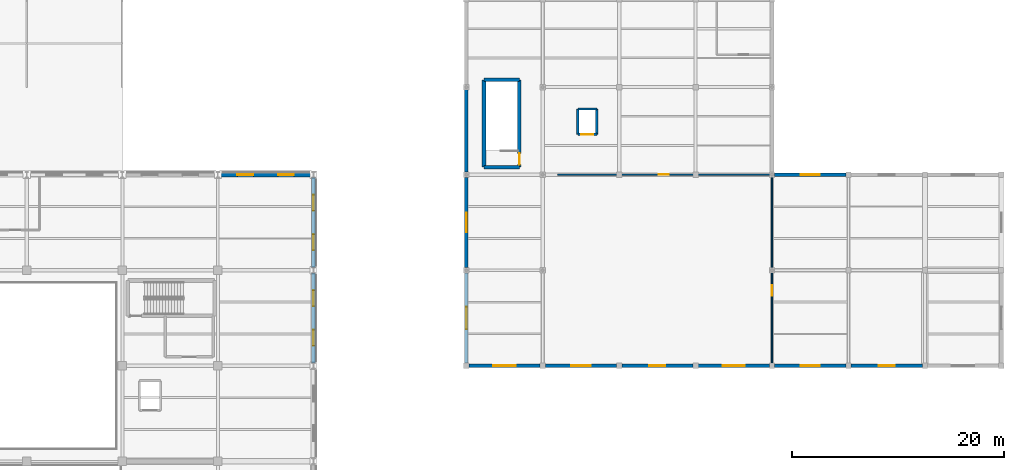
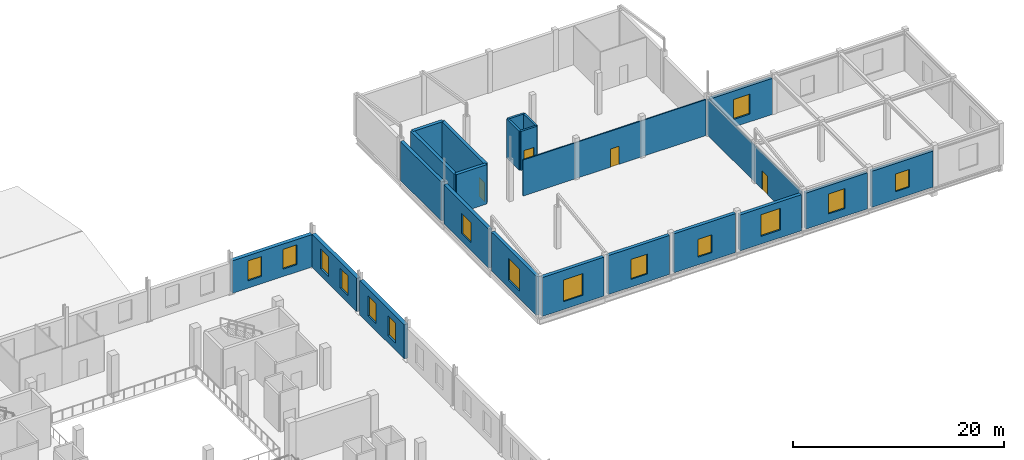
# One storey, part 21 of 35: 23 walls, 15 windows, 4 doors, 19 openings.
"""IFC4 building model written with IfcOpenShell, lengths in metres."""

import ifcopenshell
import ifcopenshell.guid

model = None  # the IFC model being written
_history = None  # IfcOwnerHistory: only IFC2X3 demands one
_inside = {}  # id of a spatial element -> (the spatial element, [elements in it])
_under = {}  # id of a project, library or spatial element -> (it, [spatial elements below it])
_declared = {}  # id of a project -> (the project, [libraries it declares])
_typed = {}  # id of a type object -> (the type object, [elements of that type])
_made_of = {}  # id of a material, layer set ... -> (it, [elements and type objects made of it])


def new_model(schema):
    """Start an empty IFC model of exactly this schema.

    Asked for "IFC4X3", IfcOpenShell would pick the latest addendum, in which some entities
    have other attributes; the version numbers below select the first issue.
    IFC2X3 requires an IfcOwnerHistory on every rooted entity: one is made here for all.
    """
    global model, _history
    if schema == "IFC4X3":
        model = ifcopenshell.file(schema_version=(4, 3, 0, 0))
    else:
        model = ifcopenshell.file(schema=schema)
    _inside.clear()
    _under.clear()
    _declared.clear()
    _typed.clear()
    _made_of.clear()
    _history = None
    if model.schema == "IFC2X3":
        org = make("IfcOrganization", Name="unknown")
        user = make(
            "IfcPersonAndOrganization",
            ThePerson=make("IfcPerson", FamilyName="unknown"),
            TheOrganization=org,
        )
        app = make(
            "IfcApplication",
            ApplicationDeveloper=org,
            Version="unknown",
            ApplicationFullName="unknown",
            ApplicationIdentifier="unknown",
        )
        _history = make(
            "IfcOwnerHistory",
            OwningUser=user,
            OwningApplication=app,
            ChangeAction="ADDED",
            CreationDate=0,
        )
    return model


def make(cls, **values):
    """One entity of the class cls with the attributes given. An attribute that is None is left unset."""
    return model.create_entity(
        cls, **{name: value for name, value in values.items() if value is not None}
    )


def rooted(cls, **values):
    """An entity with a GlobalId (a new one), such as an element, a storey or a relation."""
    return make(cls, GlobalId=ifcopenshell.guid.new(), OwnerHistory=_history, **values)


def si_unit(unit_type, name, prefix=None):
    """IfcSIUnit, for example si_unit("LENGTHUNIT", "METRE", prefix="MILLI")."""
    return make("IfcSIUnit", UnitType=unit_type, Prefix=prefix, Name=name)


def assignment(units):
    """IfcUnitAssignment: the units of a project."""
    return None if units is None else make("IfcUnitAssignment", Units=units)


def point(xyz):
    """IfcCartesianPoint."""
    return None if xyz is None else make("IfcCartesianPoint", Coordinates=xyz)


def direction(xyz):
    """IfcDirection."""
    return None if xyz is None else make("IfcDirection", DirectionRatios=xyz)


def frame(location, z_axis=None, x_axis=None):
    """IfcAxis2Placement3D, a coordinate frame: its origin and axes. An axis left out is left unset."""
    return make(
        "IfcAxis2Placement3D",
        Location=point(location),
        Axis=direction(z_axis),
        RefDirection=direction(x_axis),
    )


def frame_2d(location, x_axis=None):
    """IfcAxis2Placement2D, a coordinate frame in the plane: its origin and x axis."""
    return make(
        "IfcAxis2Placement2D", Location=point(location), RefDirection=direction(x_axis)
    )


def origin():
    """The frame at (0, 0, 0) with its axes left unset."""
    return frame((0.0, 0.0, 0.0))


def place(relative_to, where):
    """IfcLocalPlacement: puts the frame where relative to a parent placement (None: the world)."""
    return make(
        "IfcLocalPlacement", PlacementRelTo=relative_to, RelativePlacement=where
    )


def context(
    kind, dimensions, precision=None, world=None, true_north=None, identifier=None
):
    """IfcGeometricRepresentationContext, for example the 3D "Model" context."""
    return make(
        "IfcGeometricRepresentationContext",
        ContextIdentifier=identifier,
        ContextType=kind,
        CoordinateSpaceDimension=dimensions,
        Precision=precision,
        WorldCoordinateSystem=world,
        TrueNorth=true_north,
    )


def subcontext(parent, identifier, kind, view, scale=None):
    """IfcGeometricRepresentationSubContext, for example "Body" below "Model"."""
    return make(
        "IfcGeometricRepresentationSubContext",
        ContextIdentifier=identifier,
        ContextType=kind,
        ParentContext=parent,
        TargetScale=scale,
        TargetView=view,
    )


def project(units=None, contexts=None):
    """IfcProject with its units and contexts."""
    return rooted(
        "IfcProject",
        Name="project",
        RepresentationContexts=contexts,
        UnitsInContext=assignment(units),
    )


def spatial(cls, under=None, at=None, **own):
    """A site, building, storey or space (cls), placed at a placement, below another one or the project."""
    s = rooted(cls, ObjectPlacement=at, **own)
    if under is not None:
        _under.setdefault(under.id(), (under, []))[1].append(s)
    return s


def profile(cls, at=None, kind="AREA", **sizes):
    """A parametric profile (cls). Its sizes go by their IFC names, for example OverallWidth=200.0."""
    return make(cls, ProfileType=kind, Position=at, **sizes)


def rectangle(**sizes):
    """IfcRectangleProfileDef."""
    return profile("IfcRectangleProfileDef", **sizes)


def extrude(swept, where, along, depth):
    """IfcExtrudedAreaSolid: the profile swept, set in the frame where, extruded along a direction by depth."""
    return make(
        "IfcExtrudedAreaSolid",
        SweptArea=swept,
        Position=where,
        ExtrudedDirection=direction(along),
        Depth=depth,
    )


def shape(context_of_items, identifier, shape_type, items):
    """IfcShapeRepresentation: the items that make up one representation, for example the "Body"."""
    return make(
        "IfcShapeRepresentation",
        ContextOfItems=context_of_items,
        RepresentationIdentifier=identifier,
        RepresentationType=shape_type,
        Items=items,
    )


def material(Name=None, Category=None):
    """IfcMaterial."""
    return make("IfcMaterial", Name=Name, Category=Category)


def layer(
    of_material, thickness, ventilated=None, Name=None, Category=None, Priority=None
):
    """IfcMaterialLayer: one layer of a wall or slab, of a material (None: an air gap)."""
    return make(
        "IfcMaterialLayer",
        Material=of_material,
        LayerThickness=thickness,
        IsVentilated=ventilated,
        Name=Name,
        Category=Category,
        Priority=Priority,
    )


def layer_set(layers, Name=None):
    """IfcMaterialLayerSet."""
    return make("IfcMaterialLayerSet", MaterialLayers=layers, LayerSetName=Name)


def made_of(thing, what):
    """Note that an element or type object is made of a material, layer set ...; save() writes the relation."""
    if what is not None:
        _made_of.setdefault(what.id(), (what, []))[1].append(thing)
    return thing


def type_object(cls, material=None, **own):
    """A type object (cls), such as IfcWallType, which elements share."""
    return made_of(rooted(cls, **own), material)


def element(
    cls,
    number,
    at=None,
    inside=None,
    cuts=None,
    type_object=None,
    material=None,
    context=None,
    identifier="Body",
    shape_type=None,
    held_by="IfcProductDefinitionShape",
    body=None,
    shapes=None,
    **own,
):
    """One element of the class cls, such as IfcWall. Its Tag is "e" and its number.

    at: its placement. inside: the storey or other place that contains it. cuts: it is an
    opening in that element (IfcRelVoidsElement). A single representation is given by context,
    identifier, shape_type and body (its items); several are given by shapes. held_by: the class
    of the entity that holds the representations. save() writes the other relations.
    """
    e = rooted(cls, Tag="e%d" % number, ObjectPlacement=at, **own)
    if body is not None:
        shapes = [shape(context, identifier, shape_type, body)]
    if shapes is not None:
        e.Representation = make(held_by, Representations=shapes)
    if inside is not None:
        _inside.setdefault(inside.id(), (inside, []))[1].append(e)
    if cuts is not None:
        rooted(
            "IfcRelVoidsElement", RelatingBuildingElement=cuts, RelatedOpeningElement=e
        )
    if type_object is not None:
        _typed.setdefault(type_object.id(), (type_object, []))[1].append(e)
    return made_of(e, material)


def fill(opening, filler):
    """IfcRelFillsElement: the door or window that sits in an opening."""
    return rooted(
        "IfcRelFillsElement",
        RelatingOpeningElement=opening,
        RelatedBuildingElement=filler,
    )


def aggregate(whole, parts):
    """IfcRelAggregates: a whole, such as a stair, and the parts it consists of."""
    return rooted("IfcRelAggregates", RelatingObject=whole, RelatedObjects=parts)


def save(model, path):
    """Write the relations noted so far, then the file.

    IfcRelAggregates (storeys below a building ...), IfcRelContainedInSpatialStructure (elements
    in a storey), IfcRelDefinesByType, IfcRelAssociatesMaterial and IfcRelDeclares: one each for
    every whole, place, type object, material and project.
    """
    for whole, parts in _under.values():
        aggregate(whole, parts)
    for where, things in _inside.values():
        rooted(
            "IfcRelContainedInSpatialStructure",
            RelatedElements=things,
            RelatingStructure=where,
        )
    for kind, things in _typed.values():
        rooted("IfcRelDefinesByType", RelatedObjects=things, RelatingType=kind)
    for what, things in _made_of.values():
        rooted("IfcRelAssociatesMaterial", RelatedObjects=things, RelatingMaterial=what)
    for by, libraries in _declared.values():
        rooted("IfcRelDeclares", RelatingContext=by, RelatedDefinitions=libraries)
    model.write(path)


model = new_model("IFC4")

# Units and contexts
model_context = context("Model", 3, precision=1e-05, world=origin(), true_north=direction((0.0, 1.0)))
body_context = subcontext(model_context, "Body", "Model", "MODEL_VIEW")
ifc_project = project(units=[si_unit("LENGTHUNIT", "METRE"), si_unit("AREAUNIT", "SQUARE_METRE"), si_unit("VOLUMEUNIT", "CUBIC_METRE"), si_unit("PLANEANGLEUNIT", "RADIAN"), si_unit("MASSUNIT", "GRAM", prefix="KILO")], contexts=[model_context])

# Site, building, storey
site_placement = place(None, origin())
site = spatial("IfcSite", under=ifc_project, at=site_placement, CompositionType="ELEMENT")
building_placement = place(site_placement, origin())
building = spatial("IfcBuilding", under=site, at=building_placement, Name="Sundgate Opera House", CompositionType="ELEMENT")
storey_placement = place(building_placement, frame((0.0, 0.0, 21.60009765625)))
storey = spatial("IfcBuildingStorey", under=building, at=storey_placement, Name="L04", CompositionType="ELEMENT", Elevation=21.60009765625)

# Walls
ifc_material_1 = material(Name="Concrete C40/50", Category="concrete")
ifc_layer_1 = layer(ifc_material_1, 0.35009765625)
ifc_layer_set_1 = layer_set([ifc_layer_1], Name="Concrete C40/50")
wall_type_1 = type_object("IfcWallType", Name="WL-CORE-350", PredefinedType="SHEAR", material=ifc_layer_set_1)
for number, where, z_axis, x_axis, name in (
    (1, (97.06005859375, 87.7099609375, 0.0), (0.0, 0.0, 1.0), (1.0, 0.0, 0.0), "L04 C5 South Shaft Wall"),
    (2, (97.06005859375, 95.93994140625, 0.0), (0.0, 0.0, 1.0), (1.0, 0.0, 0.0), "L04 C5 North Shaft Wall"),
):
    element("IfcWall", number, at=place(storey_placement, frame(where, z_axis=z_axis, x_axis=x_axis)), inside=storey, type_object=wall_type_1, Name=name, PredefinedType="SHEAR", context=body_context, shape_type="SweptSolid", body=[
        extrude(rectangle(XDim=3.329833984375, YDim=0.35009765625, at=frame_2d((1.6650390625, 0.0))), origin(), (0.0, 0.0, 1.0), 4.539794921875),
    ])
wall_1_placement = place(storey_placement, frame((97.06005859375, 87.7099609375, 0.0), z_axis=(0.0, 0.0, 1.0), x_axis=(0.0, 1.0, 0.0)))
element("IfcWall", 3, at=wall_1_placement, inside=storey, type_object=wall_type_1, Name="L04 C5 West Shaft Wall", PredefinedType="SHEAR", context=body_context, shape_type="SweptSolid", body=[
    extrude(rectangle(XDim=8.22998046875, YDim=0.35009765625, at=frame_2d((4.114990234375, 0.0))), origin(), (0.0, 0.0, 1.0), 4.539794921875),
])

# Wall, opening, door
wall_2_placement = place(storey_placement, frame((100.389892578125, 87.7099609375, 0.0), z_axis=(0.0, 0.0, 1.0), x_axis=(0.0, 1.0, 0.0)))
wall_2 = element("IfcWall", 4, at=wall_2_placement, inside=storey, type_object=wall_type_1, Name="L04 C5 East Shaft Wall", PredefinedType="SHEAR", context=body_context, shape_type="SweptSolid", body=[
    extrude(rectangle(XDim=8.22998046875, YDim=0.35009765625, at=frame_2d((4.114990234375, 0.0))), origin(), (0.0, 0.0, 1.0), 4.539794921875),
])
opening_1_placement = place(wall_2_placement, frame((0.239990234375, 0.0, 0.0)))
opening_1 = element("IfcOpeningElement", 5, at=opening_1_placement, cuts=wall_2, Name="Opening DI01", PredefinedType="OPENING", context=body_context, shape_type="SweptSolid", body=[
    extrude(rectangle(XDim=1.050048828125, YDim=2.179931640625, at=frame_2d((0.52490234375, 1.08984375))), frame((0.0, 0.18505859375, 0.0), z_axis=(0.0, -1.0, 0.0), x_axis=(1.0, 0.0, 0.0)), (0.0, 0.0, 1.0), 0.3701171875),
])
ifc_material_2 = material(Name="Acoustic hardwood timber and steel core", Category="steel")
door_type_1 = type_object("IfcDoorType", Name="DR-STAIR-1050x2180", OperationType="NOTDEFINED", PredefinedType="DOOR", material=ifc_material_2)
door_1_placement = place(opening_1_placement, origin())
door_1 = element("IfcDoor", 6, at=door_1_placement, inside=storey, type_object=door_type_1, Name="L04 C5 Stair Door D0077", OperationType="SINGLE_SWING_LEFT", OverallHeight=2.179931640625, OverallWidth=1.050048828125, PredefinedType="DOOR", context=body_context, shape_type="SweptSolid", body=[
    extrude(rectangle(XDim=1.050048828125, YDim=2.179931640625, at=frame_2d((0.52490234375, 1.08984375))), frame((0.0, 0.02490234375, 0.0), z_axis=(0.0, -1.0, 0.0), x_axis=(1.0, 0.0, 0.0)), (0.0, 0.0, 1.0), 0.050048828125),
])
fill(opening_1, door_1)

# Wall, opening, window
ifc_material_3 = material(Name="Scanian red-brown facing brick masonry", Category="masonry")
ifc_layer_2 = layer(ifc_material_3, 0.360107421875)
ifc_layer_set_2 = layer_set([ifc_layer_2], Name="Scanian red-brown facing brick masonry")
wall_type_2 = type_object("IfcWallType", Name="WL-EXT-BRICK-360", PredefinedType="SOLIDWALL", material=ifc_layer_set_2)
wall_3_placement = place(storey_placement, frame((124.445068359375, 87.0, 0.0), z_axis=(0.0, 0.0, 1.0), x_axis=(1.0, 0.0, 0.0)))
wall_3 = element("IfcWall", 7, at=wall_3_placement, inside=storey, type_object=wall_type_2, Name="L04 Conservatory North Brick Wall W0266", PredefinedType="SOLIDWALL", context=body_context, shape_type="SweptSolid", body=[
    extrude(rectangle(XDim=6.7099609375, YDim=0.360107421875, at=frame_2d((3.35498046875, 0.0))), origin(), (0.0, 0.0, 1.0), 4.164794921875),
])
opening_2_placement = place(wall_3_placement, frame((2.455078125, 0.0, 0.89990234375)))
opening_2 = element("IfcOpeningElement", 8, at=opening_2_placement, cuts=wall_3, Name="Opening W05", PredefinedType="OPENING", context=body_context, shape_type="SweptSolid", body=[
    extrude(rectangle(XDim=1.800048828125, YDim=2.300048828125, at=frame_2d((0.89990234375, 1.14990234375))), frame((0.0, 0.18994140625, 0.0), z_axis=(0.0, -1.0, 0.0), x_axis=(1.0, 0.0, 0.0)), (0.0, 0.0, 1.0), 0.380126953125),
])
ifc_material_4 = material(Name="Low-iron triple glazing in patinated bronze frame", Category="glass")
window_type_1 = type_object("IfcWindowType", Name="WN-CONS-1800x2300", PartitioningType="SINGLE_PANEL", PredefinedType="WINDOW", material=ifc_material_4)
window_1_placement = place(opening_2_placement, origin())
window_1 = element("IfcWindow", 9, at=window_1_placement, inside=storey, type_object=window_type_1, Name="L04 Conservatory Window WN0211", OverallHeight=2.300048828125, OverallWidth=1.800048828125, PartitioningType="SINGLE_PANEL", PredefinedType="WINDOW", context=body_context, shape_type="SweptSolid", body=[
    extrude(rectangle(XDim=1.800048828125, YDim=2.300048828125, at=frame_2d((0.89990234375, 1.14990234375))), frame((0.0, 0.030029296875, 0.0), z_axis=(0.0, -1.0, 0.0), x_axis=(1.0, 0.0, 0.0)), (0.0, 0.0, 1.0), 0.06005859375),
])
fill(opening_2, window_1)

wall_4_placement = place(storey_placement, frame((95.39990234375, 77.7548828125, 0.0), z_axis=(0.0, 0.0, 1.0), x_axis=(0.0, -1.0, 0.0)))
wall_4 = element("IfcWall", 10, at=wall_4_placement, inside=storey, type_object=wall_type_2, Name="L04 Conservatory West Brick Wall W0271", PredefinedType="SOLIDWALL", context=body_context, shape_type="SweptSolid", body=[
    extrude(rectangle(XDim=8.509765625, YDim=0.360107421875, at=frame_2d((4.2548828125, 0.0))), origin(), (0.0, 0.0, 1.0), 4.5048828125),
])
opening_3_placement = place(wall_4_placement, frame((3.205078125, 0.0, 0.89990234375)))
opening_3 = element("IfcOpeningElement", 11, at=opening_3_placement, cuts=wall_4, Name="Opening W04", PredefinedType="OPENING", context=body_context, shape_type="SweptSolid", body=[
    extrude(rectangle(XDim=2.10009765625, YDim=2.5, at=frame_2d((1.050048828125, 1.25))), frame((0.0, 0.18994140625, 0.0), z_axis=(0.0, -1.0, 0.0), x_axis=(1.0, 0.0, 0.0)), (0.0, 0.0, 1.0), 0.380126953125),
])
ifc_material_5 = material(Name="Low-iron triple glazing in patinated bronze frame", Category="glass")
window_type_2 = type_object("IfcWindowType", Name="WN-CONS-2100x2500", PartitioningType="SINGLE_PANEL", PredefinedType="WINDOW", material=ifc_material_5)
window_2_placement = place(opening_3_placement, origin())
window_2 = element("IfcWindow", 12, at=window_2_placement, inside=storey, type_object=window_type_2, Name="L04 Conservatory Window WN0216", OverallHeight=2.5, OverallWidth=2.10009765625, PartitioningType="SINGLE_PANEL", PredefinedType="WINDOW", context=body_context, shape_type="SweptSolid", body=[
    extrude(rectangle(XDim=2.10009765625, YDim=2.5, at=frame_2d((1.050048828125, 1.25))), frame((0.0, 0.030029296875, 0.0), z_axis=(0.0, -1.0, 0.0), x_axis=(1.0, 0.0, 0.0)), (0.0, 0.0, 1.0), 0.06005859375),
])
fill(opening_3, window_2)

wall_5_placement = place(storey_placement, frame((95.39990234375, 86.7548828125, 0.0), z_axis=(0.0, 0.0, 1.0), x_axis=(0.0, -1.0, 0.0)))
wall_5 = element("IfcWall", 13, at=wall_5_placement, inside=storey, type_object=wall_type_2, Name="L04 Conservatory West Brick Wall W0272", PredefinedType="SOLIDWALL", context=body_context, shape_type="SweptSolid", body=[
    extrude(rectangle(XDim=8.509765625, YDim=0.360107421875, at=frame_2d((4.2548828125, 0.0))), origin(), (0.0, 0.0, 1.0), 4.5048828125),
])
opening_4_placement = place(wall_5_placement, frame((3.35498046875, 0.0, 0.89990234375)))
opening_4 = element("IfcOpeningElement", 14, at=opening_4_placement, cuts=wall_5, Name="Opening W05", PredefinedType="OPENING", context=body_context, shape_type="SweptSolid", body=[
    extrude(rectangle(XDim=1.800048828125, YDim=2.300048828125, at=frame_2d((0.89990234375, 1.14990234375))), frame((0.0, 0.18994140625, 0.0), z_axis=(0.0, -1.0, 0.0), x_axis=(1.0, 0.0, 0.0)), (0.0, 0.0, 1.0), 0.380126953125),
])
window_3_placement = place(opening_4_placement, origin())
window_3 = element("IfcWindow", 15, at=window_3_placement, inside=storey, type_object=window_type_1, Name="L04 Conservatory Window WN0217", OverallHeight=2.300048828125, OverallWidth=1.800048828125, PartitioningType="SINGLE_PANEL", PredefinedType="WINDOW", context=body_context, shape_type="SweptSolid", body=[
    extrude(rectangle(XDim=1.800048828125, YDim=2.300048828125, at=frame_2d((0.89990234375, 1.14990234375))), frame((0.0, 0.030029296875, 0.0), z_axis=(0.0, -1.0, 0.0), x_axis=(1.0, 0.0, 0.0)), (0.0, 0.0, 1.0), 0.06005859375),
])
fill(opening_4, window_3)

wall_6_placement = place(storey_placement, frame((102.35498046875, 69.0, 0.0), z_axis=(0.0, 0.0, 1.0), x_axis=(-1.0, 0.0, 0.0)))
wall_6 = element("IfcWall", 16, at=wall_6_placement, inside=storey, type_object=wall_type_2, Name="L04 Conservatory South Brick Wall W0273", PredefinedType="SOLIDWALL", context=body_context, shape_type="SweptSolid", body=[
    extrude(rectangle(XDim=6.7099609375, YDim=0.360107421875, at=frame_2d((3.35498046875, 0.0))), origin(), (0.0, 0.0, 1.0), 4.5048828125),
])
opening_5_placement = place(wall_6_placement, frame((2.304931640625, 0.0, 0.89990234375)))
opening_5 = element("IfcOpeningElement", 17, at=opening_5_placement, cuts=wall_6, Name="Opening W04", PredefinedType="OPENING", context=body_context, shape_type="SweptSolid", body=[
    extrude(rectangle(XDim=2.10009765625, YDim=2.5, at=frame_2d((1.050048828125, 1.25))), frame((0.0, 0.18994140625, 0.0), z_axis=(0.0, -1.0, 0.0), x_axis=(1.0, 0.0, 0.0)), (0.0, 0.0, 1.0), 0.380126953125),
])
window_4_placement = place(opening_5_placement, origin())
window_4 = element("IfcWindow", 18, at=window_4_placement, inside=storey, type_object=window_type_2, Name="L04 Conservatory Window WN0218", OverallHeight=2.5, OverallWidth=2.10009765625, PartitioningType="SINGLE_PANEL", PredefinedType="WINDOW", context=body_context, shape_type="SweptSolid", body=[
    extrude(rectangle(XDim=2.10009765625, YDim=2.5, at=frame_2d((1.050048828125, 1.25))), frame((0.0, 0.030029296875, 0.0), z_axis=(0.0, -1.0, 0.0), x_axis=(1.0, 0.0, 0.0)), (0.0, 0.0, 1.0), 0.06005859375),
])
fill(opening_5, window_4)

wall_7_placement = place(storey_placement, frame((109.554931640625, 69.0, 0.0), z_axis=(0.0, 0.0, 1.0), x_axis=(-1.0, 0.0, 0.0)))
wall_7 = element("IfcWall", 19, at=wall_7_placement, inside=storey, type_object=wall_type_2, Name="L04 Conservatory South Brick Wall W0274", PredefinedType="SOLIDWALL", context=body_context, shape_type="SweptSolid", body=[
    extrude(rectangle(XDim=6.7099609375, YDim=0.360107421875, at=frame_2d((3.35498046875, 0.0))), origin(), (0.0, 0.0, 1.0), 4.5048828125),
])
opening_6_placement = place(wall_7_placement, frame((2.455078125, 0.0, 0.89990234375)))
opening_6 = element("IfcOpeningElement", 20, at=opening_6_placement, cuts=wall_7, Name="Opening W05", PredefinedType="OPENING", context=body_context, shape_type="SweptSolid", body=[
    extrude(rectangle(XDim=1.800048828125, YDim=2.300048828125, at=frame_2d((0.89990234375, 1.14990234375))), frame((0.0, 0.18994140625, 0.0), z_axis=(0.0, -1.0, 0.0), x_axis=(1.0, 0.0, 0.0)), (0.0, 0.0, 1.0), 0.380126953125),
])
window_5_placement = place(opening_6_placement, origin())
window_5 = element("IfcWindow", 21, at=window_5_placement, inside=storey, type_object=window_type_1, Name="L04 Conservatory Window WN0219", OverallHeight=2.300048828125, OverallWidth=1.800048828125, PartitioningType="SINGLE_PANEL", PredefinedType="WINDOW", context=body_context, shape_type="SweptSolid", body=[
    extrude(rectangle(XDim=1.800048828125, YDim=2.300048828125, at=frame_2d((0.89990234375, 1.14990234375))), frame((0.0, 0.030029296875, 0.0), z_axis=(0.0, -1.0, 0.0), x_axis=(1.0, 0.0, 0.0)), (0.0, 0.0, 1.0), 0.06005859375),
])
fill(opening_6, window_5)

wall_8_placement = place(storey_placement, frame((116.7548828125, 69.0, 0.0), z_axis=(0.0, 0.0, 1.0), x_axis=(-1.0, 0.0, 0.0)))
wall_8 = element("IfcWall", 22, at=wall_8_placement, inside=storey, type_object=wall_type_2, Name="L04 Conservatory South Brick Wall W0275", PredefinedType="SOLIDWALL", context=body_context, shape_type="SweptSolid", body=[
    extrude(rectangle(XDim=6.7099609375, YDim=0.360107421875, at=frame_2d((3.35498046875, 0.0))), origin(), (0.0, 0.0, 1.0), 4.5048828125),
])
opening_7_placement = place(wall_8_placement, frame((2.60498046875, 0.0, 0.89990234375)))
opening_7 = element("IfcOpeningElement", 23, at=opening_7_placement, cuts=wall_8, Name="Opening W06", PredefinedType="OPENING", context=body_context, shape_type="SweptSolid", body=[
    extrude(rectangle(XDim=1.5, YDim=2.050048828125, at=frame_2d((0.75, 1.02490234375))), frame((0.0, 0.18994140625, 0.0), z_axis=(0.0, -1.0, 0.0), x_axis=(1.0, 0.0, 0.0)), (0.0, 0.0, 1.0), 0.380126953125),
])
ifc_material_6 = material(Name="Low-iron triple glazing in patinated bronze frame", Category="glass")
window_type_3 = type_object("IfcWindowType", Name="WN-CONS-1500x2050", PartitioningType="SINGLE_PANEL", PredefinedType="WINDOW", material=ifc_material_6)
window_6_placement = place(opening_7_placement, origin())
window_6 = element("IfcWindow", 24, at=window_6_placement, inside=storey, type_object=window_type_3, Name="L04 Conservatory Window WN0220", OverallHeight=2.050048828125, OverallWidth=1.5, PartitioningType="SINGLE_PANEL", PredefinedType="WINDOW", context=body_context, shape_type="SweptSolid", body=[
    extrude(rectangle(XDim=1.5, YDim=2.050048828125, at=frame_2d((0.75, 1.02490234375))), frame((0.0, 0.030029296875, 0.0), z_axis=(0.0, -1.0, 0.0), x_axis=(1.0, 0.0, 0.0)), (0.0, 0.0, 1.0), 0.06005859375),
])
fill(opening_7, window_6)

wall_9_placement = place(storey_placement, frame((123.955078125, 69.0, 0.0), z_axis=(0.0, 0.0, 1.0), x_axis=(-1.0, 0.0, 0.0)))
wall_9 = element("IfcWall", 25, at=wall_9_placement, inside=storey, type_object=wall_type_2, Name="L04 Conservatory South Brick Wall W0276", PredefinedType="SOLIDWALL", context=body_context, shape_type="SweptSolid", body=[
    extrude(rectangle(XDim=6.7099609375, YDim=0.360107421875, at=frame_2d((3.35498046875, 0.0))), origin(), (0.0, 0.0, 1.0), 4.164794921875),
])
opening_8_placement = place(wall_9_placement, frame((2.304931640625, 0.0, 0.89990234375)))
opening_8 = element("IfcOpeningElement", 26, at=opening_8_placement, cuts=wall_9, Name="Opening W04", PredefinedType="OPENING", context=body_context, shape_type="SweptSolid", body=[
    extrude(rectangle(XDim=2.10009765625, YDim=2.5, at=frame_2d((1.050048828125, 1.25))), frame((0.0, 0.18994140625, 0.0), z_axis=(0.0, -1.0, 0.0), x_axis=(1.0, 0.0, 0.0)), (0.0, 0.0, 1.0), 0.380126953125),
])
window_7_placement = place(opening_8_placement, origin())
window_7 = element("IfcWindow", 27, at=window_7_placement, inside=storey, type_object=window_type_2, Name="L04 Conservatory Window WN0221", OverallHeight=2.5, OverallWidth=2.10009765625, PartitioningType="SINGLE_PANEL", PredefinedType="WINDOW", context=body_context, shape_type="SweptSolid", body=[
    extrude(rectangle(XDim=2.10009765625, YDim=2.5, at=frame_2d((1.050048828125, 1.25))), frame((0.0, 0.030029296875, 0.0), z_axis=(0.0, -1.0, 0.0), x_axis=(1.0, 0.0, 0.0)), (0.0, 0.0, 1.0), 0.06005859375),
])
fill(opening_8, window_7)

wall_10_placement = place(storey_placement, frame((131.155029296875, 69.0, 0.0), z_axis=(0.0, 0.0, 1.0), x_axis=(-1.0, 0.0, 0.0)))
wall_10 = element("IfcWall", 28, at=wall_10_placement, inside=storey, type_object=wall_type_2, Name="L04 Conservatory South Brick Wall W0277", PredefinedType="SOLIDWALL", context=body_context, shape_type="SweptSolid", body=[
    extrude(rectangle(XDim=6.7099609375, YDim=0.360107421875, at=frame_2d((3.35498046875, 0.0))), origin(), (0.0, 0.0, 1.0), 4.164794921875),
])
opening_9_placement = place(wall_10_placement, frame((2.455078125, 0.0, 0.89990234375)))
opening_9 = element("IfcOpeningElement", 29, at=opening_9_placement, cuts=wall_10, Name="Opening W05", PredefinedType="OPENING", context=body_context, shape_type="SweptSolid", body=[
    extrude(rectangle(XDim=1.800048828125, YDim=2.300048828125, at=frame_2d((0.89990234375, 1.14990234375))), frame((0.0, 0.18994140625, 0.0), z_axis=(0.0, -1.0, 0.0), x_axis=(1.0, 0.0, 0.0)), (0.0, 0.0, 1.0), 0.380126953125),
])
window_8_placement = place(opening_9_placement, origin())
window_8 = element("IfcWindow", 30, at=window_8_placement, inside=storey, type_object=window_type_1, Name="L04 Conservatory Window WN0222", OverallHeight=2.300048828125, OverallWidth=1.800048828125, PartitioningType="SINGLE_PANEL", PredefinedType="WINDOW", context=body_context, shape_type="SweptSolid", body=[
    extrude(rectangle(XDim=1.800048828125, YDim=2.300048828125, at=frame_2d((0.89990234375, 1.14990234375))), frame((0.0, 0.030029296875, 0.0), z_axis=(0.0, -1.0, 0.0), x_axis=(1.0, 0.0, 0.0)), (0.0, 0.0, 1.0), 0.06005859375),
])
fill(opening_9, window_8)

wall_11_placement = place(storey_placement, frame((138.35498046875, 69.0, 0.0), z_axis=(0.0, 0.0, 1.0), x_axis=(-1.0, 0.0, 0.0)))
wall_11 = element("IfcWall", 31, at=wall_11_placement, inside=storey, type_object=wall_type_2, Name="L04 Conservatory South Brick Wall W0278", PredefinedType="SOLIDWALL", context=body_context, shape_type="SweptSolid", body=[
    extrude(rectangle(XDim=6.7099609375, YDim=0.360107421875, at=frame_2d((3.35498046875, 0.0))), origin(), (0.0, 0.0, 1.0), 4.164794921875),
])
opening_10_placement = place(wall_11_placement, frame((2.60498046875, 0.0, 0.89990234375)))
opening_10 = element("IfcOpeningElement", 32, at=opening_10_placement, cuts=wall_11, Name="Opening W06", PredefinedType="OPENING", context=body_context, shape_type="SweptSolid", body=[
    extrude(rectangle(XDim=1.5, YDim=2.050048828125, at=frame_2d((0.75, 1.02490234375))), frame((0.0, 0.18994140625, 0.0), z_axis=(0.0, -1.0, 0.0), x_axis=(1.0, 0.0, 0.0)), (0.0, 0.0, 1.0), 0.380126953125),
])
window_9_placement = place(opening_10_placement, origin())
window_9 = element("IfcWindow", 33, at=window_9_placement, inside=storey, type_object=window_type_3, Name="L04 Conservatory Window WN0223", OverallHeight=2.050048828125, OverallWidth=1.5, PartitioningType="SINGLE_PANEL", PredefinedType="WINDOW", context=body_context, shape_type="SweptSolid", body=[
    extrude(rectangle(XDim=1.5, YDim=2.050048828125, at=frame_2d((0.75, 1.02490234375))), frame((0.0, 0.030029296875, 0.0), z_axis=(0.0, -1.0, 0.0), x_axis=(1.0, 0.0, 0.0)), (0.0, 0.0, 1.0), 0.06005859375),
])
fill(opening_10, window_9)

# Wall
wall_12_placement = place(storey_placement, frame((95.39990234375, 95.0048828125, 0.0), z_axis=(0.0, 0.0, 1.0), x_axis=(0.0, -1.0, 0.0)))
element("IfcWall", 34, at=wall_12_placement, inside=storey, type_object=wall_type_2, Name="L04 Conservatory West Brick Wall W0301", PredefinedType="SOLIDWALL", context=body_context, shape_type="SweptSolid", body=[
    extrude(rectangle(XDim=7.759765625, YDim=0.360107421875, at=frame_2d((3.8798828125, 0.0))), origin(), (0.0, 0.0, 1.0), 4.5048828125),
])

# Wall, openings, windows
ifc_material_7 = material(Name="Vitrified stoneware trencadis and brick masonry", Category="masonry")
ifc_layer_3 = layer(ifc_material_7, 0.409912109375)
ifc_layer_set_3 = layer_set([ifc_layer_3], Name="Vitrified stoneware trencadis and brick masonry")
wall_type_3 = type_object("IfcWallType", Name="WL-EXT-TRENC-410", PredefinedType="SOLIDWALL", material=ifc_layer_set_3)
wall_13_placement = place(storey_placement, frame((72.14501953125, 87.0, 0.0), z_axis=(0.0, 0.0, 1.0), x_axis=(1.0, 0.0, 0.0)))
wall_13 = element("IfcWall", 35, at=wall_13_placement, inside=storey, type_object=wall_type_3, Name="L04 Lifted Cube North Relief Wall W0104", PredefinedType="SOLIDWALL", context=body_context, shape_type="SweptSolid", body=[
    extrude(rectangle(XDim=8.7099609375, YDim=0.409912109375, at=frame_2d((4.35498046875, 0.0))), origin(), (0.0, 0.0, 1.0), 3.7548828125),
])
opening_11_placement = place(wall_13_placement, frame((1.68896484375, 0.0, 0.85009765625)))
opening_11 = element("IfcOpeningElement", 36, at=opening_11_placement, cuts=wall_13, Name="Opening W02", PredefinedType="OPENING", context=body_context, shape_type="SweptSolid", body=[
    extrude(rectangle(XDim=1.5, YDim=2.300048828125, at=frame_2d((0.75, 1.14990234375))), frame((0.0, 0.21484375, 0.0), z_axis=(0.0, -1.0, 0.0), x_axis=(1.0, 0.0, 0.0)), (0.0, 0.0, 1.0), 0.429931640625),
])
opening_12_placement = place(wall_13_placement, frame((5.52099609375, 0.0, 0.85009765625)))
opening_12 = element("IfcOpeningElement", 37, at=opening_12_placement, cuts=wall_13, Name="Opening W02", PredefinedType="OPENING", context=body_context, shape_type="SweptSolid", body=[
    extrude(rectangle(XDim=1.5, YDim=2.300048828125, at=frame_2d((0.75, 1.14990234375))), frame((0.0, 0.21484375, 0.0), z_axis=(0.0, -1.0, 0.0), x_axis=(1.0, 0.0, 0.0)), (0.0, 0.0, 1.0), 0.429931640625),
])
ifc_material_8 = material(Name="Low-iron triple glazing in patinated bronze frame", Category="glass")
window_type_4 = type_object("IfcWindowType", Name="WN-CUBE-1500x2300", PartitioningType="SINGLE_PANEL", PredefinedType="WINDOW", material=ifc_material_8)
window_10_placement = place(opening_11_placement, origin())
window_10 = element("IfcWindow", 38, at=window_10_placement, inside=storey, type_object=window_type_4, Name="L04 Cube Loggia Window WN0079", OverallHeight=2.300048828125, OverallWidth=1.5, PartitioningType="SINGLE_PANEL", PredefinedType="WINDOW", context=body_context, shape_type="SweptSolid", body=[
    extrude(rectangle(XDim=1.5, YDim=2.300048828125, at=frame_2d((0.75, 1.14990234375))), frame((0.0, 0.030029296875, 0.0), z_axis=(0.0, -1.0, 0.0), x_axis=(1.0, 0.0, 0.0)), (0.0, 0.0, 1.0), 0.06005859375),
])
fill(opening_11, window_10)
window_11_placement = place(opening_12_placement, origin())
window_11 = element("IfcWindow", 39, at=window_11_placement, inside=storey, type_object=window_type_4, Name="L04 Cube Loggia Window WN0080", OverallHeight=2.300048828125, OverallWidth=1.5, PartitioningType="SINGLE_PANEL", PredefinedType="WINDOW", context=body_context, shape_type="SweptSolid", body=[
    extrude(rectangle(XDim=1.5, YDim=2.300048828125, at=frame_2d((0.75, 1.14990234375))), frame((0.0, 0.030029296875, 0.0), z_axis=(0.0, -1.0, 0.0), x_axis=(1.0, 0.0, 0.0)), (0.0, 0.0, 1.0), 0.06005859375),
])
fill(opening_12, window_11)

wall_14_placement = place(storey_placement, frame((81.0, 69.27001953125, 0.0), z_axis=(0.0, 0.0, 1.0), x_axis=(0.0, 1.0, 0.0)))
wall_14 = element("IfcWall", 40, at=wall_14_placement, inside=storey, type_object=wall_type_3, Name="L04 Lifted Cube East Relief Wall W0114", PredefinedType="SOLIDWALL", context=body_context, shape_type="SweptSolid", body=[
    extrude(rectangle(XDim=8.4599609375, YDim=0.409912109375, at=frame_2d((4.22998046875, 0.0))), origin(), (0.0, 0.0, 1.0), 3.954833984375),
])
opening_13_placement = place(wall_14_placement, frame((1.618896484375, 0.0, 0.85009765625)))
opening_13 = element("IfcOpeningElement", 41, at=opening_13_placement, cuts=wall_14, Name="Opening W02", PredefinedType="OPENING", context=body_context, shape_type="SweptSolid", body=[
    extrude(rectangle(XDim=1.5, YDim=2.300048828125, at=frame_2d((0.75, 1.14990234375))), frame((0.0, 0.21484375, 0.0), z_axis=(0.0, -1.0, 0.0), x_axis=(1.0, 0.0, 0.0)), (0.0, 0.0, 1.0), 0.429931640625),
])
opening_14_placement = place(wall_14_placement, frame((5.341064453125, 0.0, 0.85009765625)))
opening_14 = element("IfcOpeningElement", 42, at=opening_14_placement, cuts=wall_14, Name="Opening W02", PredefinedType="OPENING", context=body_context, shape_type="SweptSolid", body=[
    extrude(rectangle(XDim=1.5, YDim=2.300048828125, at=frame_2d((0.75, 1.14990234375))), frame((0.0, 0.21484375, 0.0), z_axis=(0.0, -1.0, 0.0), x_axis=(1.0, 0.0, 0.0)), (0.0, 0.0, 1.0), 0.429931640625),
])
window_12_placement = place(opening_13_placement, origin())
window_12 = element("IfcWindow", 43, at=window_12_placement, inside=storey, type_object=window_type_4, Name="L04 Cube Loggia Window WN0099", OverallHeight=2.300048828125, OverallWidth=1.5, PartitioningType="SINGLE_PANEL", PredefinedType="WINDOW", context=body_context, shape_type="SweptSolid", body=[
    extrude(rectangle(XDim=1.5, YDim=2.300048828125, at=frame_2d((0.75, 1.14990234375))), frame((0.0, 0.030029296875, 0.0), z_axis=(0.0, -1.0, 0.0), x_axis=(1.0, 0.0, 0.0)), (0.0, 0.0, 1.0), 0.06005859375),
])
fill(opening_13, window_12)
window_13_placement = place(opening_14_placement, origin())
window_13 = element("IfcWindow", 44, at=window_13_placement, inside=storey, type_object=window_type_4, Name="L04 Cube Loggia Window WN0100", OverallHeight=2.300048828125, OverallWidth=1.5, PartitioningType="SINGLE_PANEL", PredefinedType="WINDOW", context=body_context, shape_type="SweptSolid", body=[
    extrude(rectangle(XDim=1.5, YDim=2.300048828125, at=frame_2d((0.75, 1.14990234375))), frame((0.0, 0.030029296875, 0.0), z_axis=(0.0, -1.0, 0.0), x_axis=(1.0, 0.0, 0.0)), (0.0, 0.0, 1.0), 0.06005859375),
])
fill(opening_14, window_13)

wall_15_placement = place(storey_placement, frame((81.0, 78.27001953125, 0.0), z_axis=(0.0, 0.0, 1.0), x_axis=(0.0, 1.0, 0.0)))
wall_15 = element("IfcWall", 45, at=wall_15_placement, inside=storey, type_object=wall_type_3, Name="L04 Lifted Cube East Relief Wall W0116", PredefinedType="SOLIDWALL", context=body_context, shape_type="SweptSolid", body=[
    extrude(rectangle(XDim=8.4599609375, YDim=0.409912109375, at=frame_2d((4.22998046875, 0.0))), origin(), (0.0, 0.0, 1.0), 3.85498046875),
])
opening_15_placement = place(wall_15_placement, frame((1.618896484375, 0.0, 0.85009765625)))
opening_15 = element("IfcOpeningElement", 46, at=opening_15_placement, cuts=wall_15, Name="Opening W02", PredefinedType="OPENING", context=body_context, shape_type="SweptSolid", body=[
    extrude(rectangle(XDim=1.5, YDim=2.300048828125, at=frame_2d((0.75, 1.14990234375))), frame((0.0, 0.21484375, 0.0), z_axis=(0.0, -1.0, 0.0), x_axis=(1.0, 0.0, 0.0)), (0.0, 0.0, 1.0), 0.429931640625),
])
opening_16_placement = place(wall_15_placement, frame((5.341064453125, 0.0, 0.85009765625)))
opening_16 = element("IfcOpeningElement", 47, at=opening_16_placement, cuts=wall_15, Name="Opening W02", PredefinedType="OPENING", context=body_context, shape_type="SweptSolid", body=[
    extrude(rectangle(XDim=1.5, YDim=2.300048828125, at=frame_2d((0.75, 1.14990234375))), frame((0.0, 0.21484375, 0.0), z_axis=(0.0, -1.0, 0.0), x_axis=(1.0, 0.0, 0.0)), (0.0, 0.0, 1.0), 0.429931640625),
])
window_14_placement = place(opening_15_placement, origin())
window_14 = element("IfcWindow", 48, at=window_14_placement, inside=storey, type_object=window_type_4, Name="L04 Cube Loggia Window WN0103", OverallHeight=2.300048828125, OverallWidth=1.5, PartitioningType="SINGLE_PANEL", PredefinedType="WINDOW", context=body_context, shape_type="SweptSolid", body=[
    extrude(rectangle(XDim=1.5, YDim=2.300048828125, at=frame_2d((0.75, 1.14990234375))), frame((0.0, 0.030029296875, 0.0), z_axis=(0.0, -1.0, 0.0), x_axis=(1.0, 0.0, 0.0)), (0.0, 0.0, 1.0), 0.06005859375),
])
fill(opening_15, window_14)
window_15_placement = place(opening_16_placement, origin())
window_15 = element("IfcWindow", 49, at=window_15_placement, inside=storey, type_object=window_type_4, Name="L04 Cube Loggia Window WN0104", OverallHeight=2.300048828125, OverallWidth=1.5, PartitioningType="SINGLE_PANEL", PredefinedType="WINDOW", context=body_context, shape_type="SweptSolid", body=[
    extrude(rectangle(XDim=1.5, YDim=2.300048828125, at=frame_2d((0.75, 1.14990234375))), frame((0.0, 0.030029296875, 0.0), z_axis=(0.0, -1.0, 0.0), x_axis=(1.0, 0.0, 0.0)), (0.0, 0.0, 1.0), 0.06005859375),
])
fill(opening_16, window_15)

# Wall, opening, door
ifc_material_9 = material(Name="Fire-rated gypsum and mineral-wool shaft partition", Category="gypsum")
ifc_layer_4 = layer(ifc_material_9, 0.219970703125)
ifc_layer_set_4 = layer_set([ifc_layer_4], Name="Fire-rated gypsum and mineral-wool shaft partition")
wall_type_4 = type_object("IfcWallType", Name="WL-INT-FIRE-220", PredefinedType="PARTITIONING", material=ifc_layer_set_4)
wall_16_placement = place(storey_placement, frame((105.909912109375, 90.81005859375, 0.0), z_axis=(0.0, 0.0, 1.0), x_axis=(1.0, 0.0, 0.0)))
wall_16 = element("IfcWall", 50, at=wall_16_placement, inside=storey, type_object=wall_type_4, Name="L04 LF-04 South Shaft Wall", PredefinedType="PARTITIONING", context=body_context, shape_type="SweptSolid", body=[
    extrude(rectangle(XDim=1.780029296875, YDim=0.219970703125, at=frame_2d((0.89013671875, 0.0))), origin(), (0.0, 0.0, 1.0), 4.5048828125),
])
opening_17_placement = place(wall_16_placement, frame((0.340087890625, 0.0, 0.0)))
opening_17 = element("IfcOpeningElement", 51, at=opening_17_placement, cuts=wall_16, Name="Opening LD1", PredefinedType="OPENING", context=body_context, shape_type="SweptSolid", body=[
    extrude(rectangle(XDim=1.10009765625, YDim=2.179931640625, at=frame_2d((0.550048828125, 1.08984375))), frame((0.0, 0.119873046875, 0.0), z_axis=(0.0, -1.0, 0.0), x_axis=(1.0, 0.0, 0.0)), (0.0, 0.0, 1.0), 0.239990234375),
])
ifc_material_10 = material(Name="Brushed stainless steel EN 1.4301", Category="steel")
door_type_2 = type_object("IfcDoorType", Name="DR-LIFT-1100x2180", OperationType="DOUBLE_DOOR_SLIDING", PredefinedType="DOOR", material=ifc_material_10)
door_2_placement = place(opening_17_placement, origin())
door_2 = element("IfcDoor", 52, at=door_2_placement, inside=storey, type_object=door_type_2, Name="L04 LF-04 Landing Door D0118", OperationType="DOUBLE_DOOR_SLIDING", OverallHeight=2.179931640625, OverallWidth=1.10009765625, PredefinedType="DOOR", context=body_context, shape_type="SweptSolid", body=[
    extrude(rectangle(XDim=1.10009765625, YDim=2.179931640625, at=frame_2d((0.550048828125, 1.08984375))), frame((0.0, 0.02490234375, 0.0), z_axis=(0.0, -1.0, 0.0), x_axis=(1.0, 0.0, 0.0)), (0.0, 0.0, 1.0), 0.050048828125),
])
fill(opening_17, door_2)

# Walls
wall_17_placement = place(storey_placement, frame((105.909912109375, 93.18994140625, 0.0), z_axis=(0.0, 0.0, 1.0), x_axis=(1.0, 0.0, 0.0)))
element("IfcWall", 53, at=wall_17_placement, inside=storey, type_object=wall_type_4, Name="L04 LF-04 North Shaft Wall", PredefinedType="PARTITIONING", context=body_context, shape_type="SweptSolid", body=[
    extrude(rectangle(XDim=1.780029296875, YDim=0.219970703125, at=frame_2d((0.89013671875, 0.0))), origin(), (0.0, 0.0, 1.0), 4.5048828125),
])
for number, where, z_axis, x_axis, name in (
    (54, (105.909912109375, 90.81005859375, 0.0), (0.0, 0.0, 1.0), (0.0, 1.0, 0.0), "L04 LF-04 West Shaft Wall"),
    (55, (107.68994140625, 90.81005859375, 0.0), (0.0, 0.0, 1.0), (0.0, 1.0, 0.0), "L04 LF-04 East Shaft Wall"),
):
    element("IfcWall", number, at=place(storey_placement, frame(where, z_axis=z_axis, x_axis=x_axis)), inside=storey, type_object=wall_type_4, Name=name, PredefinedType="PARTITIONING", context=body_context, shape_type="SweptSolid", body=[
        extrude(rectangle(XDim=2.3798828125, YDim=0.219970703125, at=frame_2d((1.18994140625, 0.0))), origin(), (0.0, 0.0, 1.0), 4.5048828125),
    ])

# Wall, opening, door
ifc_material_11 = material(Name="Office and library partition", Category="gypsum")
ifc_layer_5 = layer(ifc_material_11, 0.1298828125)
ifc_layer_set_5 = layer_set([ifc_layer_5], Name="Office and library partition")
wall_type_5 = type_object("IfcWallType", Name="WL-INT-PART-130", PredefinedType="PARTITIONING", material=ifc_layer_set_5)
wall_18_placement = place(storey_placement, frame((124.199951171875, 69.199951171875, 0.0), z_axis=(0.0, 0.0, 1.0), x_axis=(0.0, 1.0, 0.0)))
wall_18 = element("IfcWall", 56, at=wall_18_placement, inside=storey, type_object=wall_type_5, Name="L04 Interior Partition W1085", PredefinedType="PARTITIONING", context=body_context, shape_type="SweptSolid", body=[
    extrude(rectangle(XDim=17.800048828125, YDim=0.1298828125, at=frame_2d((8.89990234375, 0.0))), origin(), (0.0, 0.0, 1.0), 4.164794921875),
])
opening_18_placement = place(wall_18_placement, frame((6.384033203125, 0.0, 0.0)))
opening_18 = element("IfcOpeningElement", 57, at=opening_18_placement, cuts=wall_18, Name="Opening DI10", PredefinedType="OPENING", context=body_context, shape_type="SweptSolid", body=[
    extrude(rectangle(XDim=1.0, YDim=2.1201171875, at=frame_2d((0.5, 1.06005859375))), frame((0.0, 0.074951171875, 0.0), z_axis=(0.0, -1.0, 0.0), x_axis=(1.0, 0.0, 0.0)), (0.0, 0.0, 1.0), 0.14990234375),
])
ifc_material_12 = material(Name="Acoustic hardwood timber and steel core", Category="steel")
door_type_3 = type_object("IfcDoorType", Name="DR-UNR-1000x2120", OperationType="NOTDEFINED", PredefinedType="DOOR", material=ifc_material_12)
door_3_placement = place(opening_18_placement, origin())
door_3 = element("IfcDoor", 58, at=door_3_placement, inside=storey, type_object=door_type_3, Name="L04 Interior Door D0237", OperationType="SINGLE_SWING_LEFT", OverallHeight=2.1201171875, OverallWidth=1.0, PredefinedType="DOOR", context=body_context, shape_type="SweptSolid", body=[
    extrude(rectangle(XDim=1.0, YDim=2.1201171875, at=frame_2d((0.5, 1.06005859375))), frame((0.0, 0.02490234375, 0.0), z_axis=(0.0, -1.0, 0.0), x_axis=(1.0, 0.0, 0.0)), (0.0, 0.0, 1.0), 0.050048828125),
])
fill(opening_18, door_3)

wall_19_placement = place(storey_placement, frame((104.0, 87.0, 0.0), z_axis=(0.0, 0.0, 1.0), x_axis=(1.0, 0.0, 0.0)))
wall_19 = element("IfcWall", 59, at=wall_19_placement, inside=storey, type_object=wall_type_5, Name="L04 Interior Partition W1086", PredefinedType="PARTITIONING", context=body_context, shape_type="SweptSolid", body=[
    extrude(rectangle(XDim=20.0, YDim=0.1298828125, at=frame_2d((10.0, 0.0))), origin(), (0.0, 0.0, 1.0), 4.164794921875),
])
opening_19_placement = place(wall_19_placement, frame((9.52490234375, 0.0, 0.0)))
opening_19 = element("IfcOpeningElement", 60, at=opening_19_placement, cuts=wall_19, Name="Opening DI11", PredefinedType="OPENING", context=body_context, shape_type="SweptSolid", body=[
    extrude(rectangle(XDim=0.949951171875, YDim=2.10009765625, at=frame_2d((0.47509765625, 1.050048828125))), frame((0.0, 0.074951171875, 0.0), z_axis=(0.0, -1.0, 0.0), x_axis=(1.0, 0.0, 0.0)), (0.0, 0.0, 1.0), 0.14990234375),
])
ifc_material_13 = material(Name="Acoustic hardwood timber and steel core", Category="steel")
door_type_4 = type_object("IfcDoorType", Name="DR-UNR-950x2100", OperationType="NOTDEFINED", PredefinedType="DOOR", material=ifc_material_13)
door_4_placement = place(opening_19_placement, origin())
door_4 = element("IfcDoor", 61, at=door_4_placement, inside=storey, type_object=door_type_4, Name="L04 Interior Door D0238", OperationType="SINGLE_SWING_RIGHT", OverallHeight=2.10009765625, OverallWidth=0.949951171875, PredefinedType="DOOR", context=body_context, shape_type="SweptSolid", body=[
    extrude(rectangle(XDim=0.949951171875, YDim=2.10009765625, at=frame_2d((0.47509765625, 1.050048828125))), frame((0.0, 0.02490234375, 0.0), z_axis=(0.0, -1.0, 0.0), x_axis=(1.0, 0.0, 0.0)), (0.0, 0.0, 1.0), 0.050048828125),
])
fill(opening_19, door_4)

save(model, "model.ifc")
